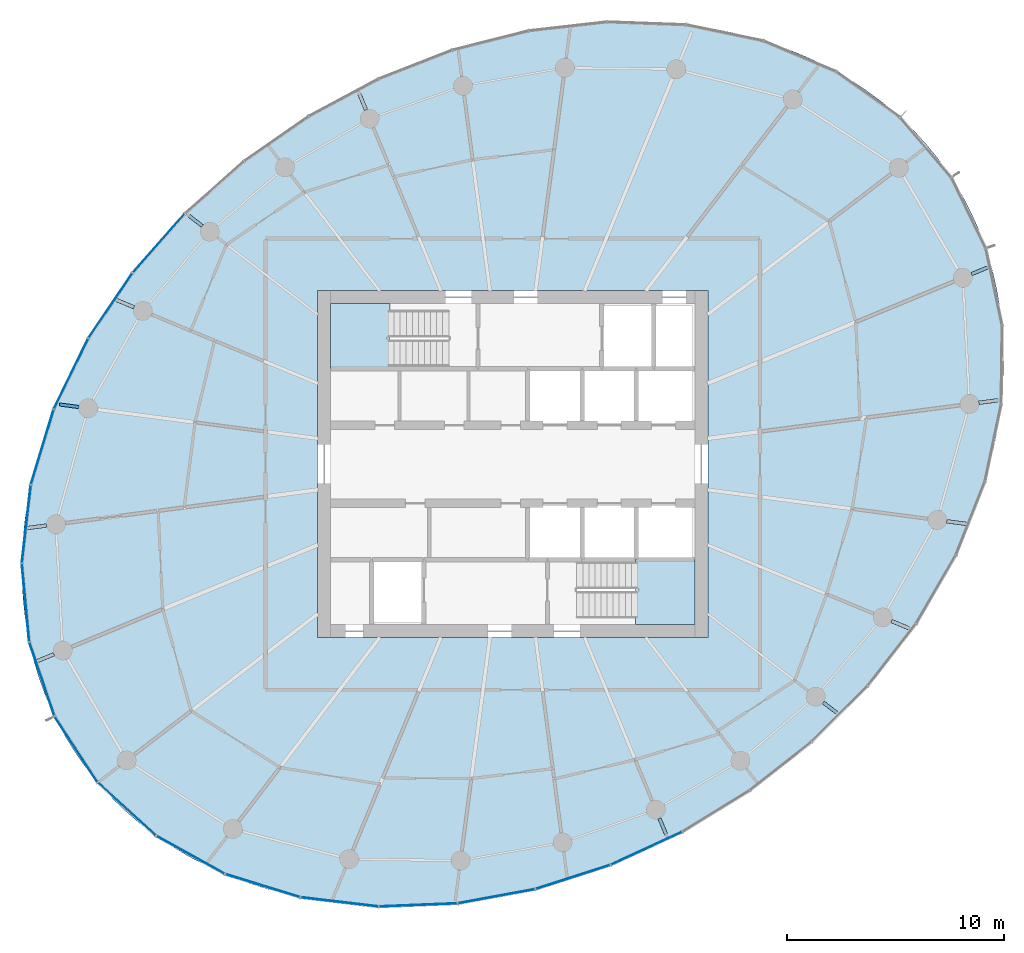
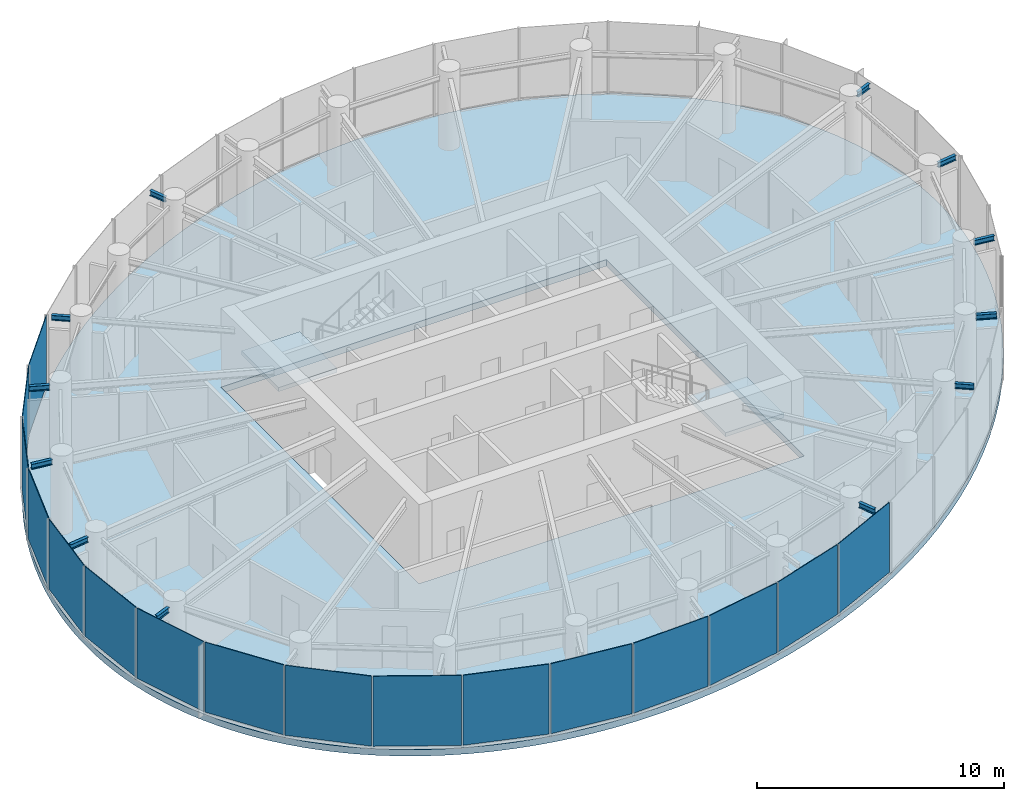
# One storey, part 8 of 15: 16 plates, 12 beams, 3 slabs, 6 elements without a shape of their own.
"""IFC4 building model written with IfcOpenShell, lengths in metres."""

from ifc_helpers import new_model, si_unit, direction, frame, origin, origin_2d, place, context, subcontext, project, spatial, line, indexed_curve, rectangle, i_section, outline, extrude, source, transform, mapped, material, layer, layer_set, material_profile, profile_set, type_object, element, aggregate, save


model = new_model("IFC4")

# Units and contexts
model_context = context("Model", 3, precision=1e-05, world=origin(), true_north=direction((0.0, 1.0)))
body_context = subcontext(model_context, "Body", "Model", "MODEL_VIEW")
ifc_project = project(units=[si_unit("LENGTHUNIT", "METRE"), si_unit("AREAUNIT", "SQUARE_METRE"), si_unit("VOLUMEUNIT", "CUBIC_METRE"), si_unit("PLANEANGLEUNIT", "RADIAN"), si_unit("MASSUNIT", "GRAM", prefix="KILO")], contexts=[model_context])

# Site, building, storey
site_placement = place(None, origin())
site = spatial("IfcSite", under=ifc_project, at=site_placement, CompositionType="ELEMENT")
building_placement = place(site_placement, origin())
building = spatial("IfcBuilding", under=site, at=building_placement, Name="Spindrift Exchange Tower", CompositionType="ELEMENT")
storey_placement = place(building_placement, frame((0.0, 0.0, 191.60009765625)))
storey = spatial("IfcBuildingStorey", under=building, at=storey_placement, Name="L46", CompositionType="ELEMENT", Elevation=191.60009765625)

# Beams
ifc_material_1 = material(Name="Steel Grade 300", Category="steel")
ifc_material_profile = material_profile(ifc_material_1, i_section(OverallWidth=0.14599609375, OverallDepth=0.251953125, WebThickness=0.006103515625, FlangeThickness=0.008544921875, FilletRadius=0.011962890625, at=origin_2d()), Name="250UB31.4")
ifc_profile_set = profile_set([ifc_material_profile], Name="Steel Grade 300")
beam_type = type_object("IfcBeamType", Name="Cantilever Beam 250UB31.4 Steel Grade 300", PredefinedType="BEAM", material=ifc_profile_set)
shared_shape_1 = source(origin(), body_context, "Body", "SweptSolid", [
    extrude(i_section(OverallWidth=0.14599609375, OverallDepth=0.251953125, WebThickness=0.006103515625, FlangeThickness=0.008544921875, FilletRadius=0.011962890625, at=origin_2d()), origin(), (0.0, 0.0, 1.0), 0.78857421875),
])
for number, where, z_axis, x_axis, name in (
    (1, (73.150390625, 56.7607421875, 3.453857421875), (0.923880985108, 0.382679925467, 0.0), (-0.382679925467, 0.923880985108, 0.0), "L46 cantilever beam R02T"),
    (2, (30.849609375, 39.2392578125, 3.453857421875), (-0.923880985108, -0.382679925467, 0.0), (0.382679925467, -0.923880985108, 0.0), "L46 cantilever beam R14T"),
):
    element("IfcBeam", number, at=place(storey_placement, frame(where, z_axis=z_axis, x_axis=x_axis)), inside=storey, type_object=beam_type, Name=name, PredefinedType="BEAM", context=body_context, shape_type="MappedRepresentation", body=[
        mapped(shared_shape_1, transform((0.0, 0.0, 0.0), scale=1.0)),
    ])
shared_shape_2 = source(origin(), body_context, "Body", "SweptSolid", [
    extrude(i_section(OverallWidth=0.14599609375, OverallDepth=0.251953125, WebThickness=0.006103515625, FlangeThickness=0.008544921875, FilletRadius=0.011962890625, at=origin_2d()), origin(), (0.0, 0.0, 1.0), 0.891357421875),
])
for number, where, z_axis, x_axis, name in (
    (3, (73.488525390625, 50.8291015625, 3.453857421875), (0.991465478507, 0.130369493859, 0.0), (-0.130369493859, 0.991465478507, 0.0), "L46 cantilever beam R01T"),
    (4, (30.511474609375, 45.1708984375, 3.453857421875), (-0.991465478507, -0.130369493859, 0.0), (0.130369493859, -0.991465478507, 0.0), "L46 cantilever beam R13T"),
):
    element("IfcBeam", number, at=place(storey_placement, frame(where, z_axis=z_axis, x_axis=x_axis)), inside=storey, type_object=beam_type, Name=name, PredefinedType="BEAM", context=body_context, shape_type="MappedRepresentation", body=[
        mapped(shared_shape_2, transform((0.0, 0.0, 0.0), scale=1.0)),
    ])
shared_shape_3 = source(origin(), body_context, "Body", "SweptSolid", [
    extrude(i_section(OverallWidth=0.14599609375, OverallDepth=0.251953125, WebThickness=0.006103515625, FlangeThickness=0.008544921875, FilletRadius=0.011962890625, at=origin_2d()), origin(), (0.0, 0.0, 1.0), 0.79638671875),
])
for number, where, z_axis, x_axis, name in (
    (5, (45.236328125, 64.32861328125, 3.453857421875), (-0.382568386735, 0.92392717758, 0.0), (-0.92392717758, -0.382568386735, 0.0), "L46 cantilever beam R08T"),
    (6, (58.763671875, 31.67138671875, 3.453857421875), (0.382568386735, -0.92392717758, 0.0), (0.92392717758, 0.382568386735, 0.0), "L46 cantilever beam R20T"),
):
    element("IfcBeam", number, at=place(storey_placement, frame(where, z_axis=z_axis, x_axis=x_axis)), inside=storey, type_object=beam_type, Name=name, PredefinedType="BEAM", context=body_context, shape_type="MappedRepresentation", body=[
        mapped(shared_shape_3, transform((0.0, 0.0, 0.0), scale=1.0)),
    ])
shared_shape_4 = source(origin(), body_context, "Body", "SweptSolid", [
    extrude(i_section(OverallWidth=0.14599609375, OverallDepth=0.251953125, WebThickness=0.006103515625, FlangeThickness=0.008544921875, FilletRadius=0.011962890625, at=origin_2d()), origin(), (0.0, 0.0, 1.0), 0.7744140625),
])
for number, where, z_axis, x_axis, name in (
    (7, (37.68798828125, 58.982177734375, 3.453857421875), (-0.79340845212, 0.608689599143, 0.0), (-0.608689599143, -0.79340845212, 0.0), "L46 cantilever beam R10T"),
    (8, (66.31201171875, 37.017822265625, 3.453857421875), (0.79340845212, -0.608689599143, 0.0), (0.608689599143, 0.79340845212, 0.0), "L46 cantilever beam R22T"),
):
    element("IfcBeam", number, at=place(storey_placement, frame(where, z_axis=z_axis, x_axis=x_axis)), inside=storey, type_object=beam_type, Name=name, PredefinedType="BEAM", context=body_context, shape_type="MappedRepresentation", body=[
        mapped(shared_shape_4, transform((0.0, 0.0, 0.0), scale=1.0)),
    ])
shared_shape_5 = source(origin(), body_context, "Body", "SweptSolid", [
    extrude(i_section(OverallWidth=0.14599609375, OverallDepth=0.251953125, WebThickness=0.006103515625, FlangeThickness=0.008544921875, FilletRadius=0.011962890625, at=origin_2d()), origin(), (0.0, 0.0, 1.0), 0.8486328125),
])
for number, where, z_axis, x_axis, name in (
    (9, (34.543212890625, 55.230712890625, 3.453857421875), (-0.923781830666, 0.382919220373, 0.0), (-0.382919220373, -0.923781830666, 0.0), "L46 cantilever beam R11T"),
    (10, (69.456787109375, 40.769287109375, 3.453857421875), (0.923781830666, -0.382919220373, 0.0), (0.382919220373, 0.923781830666, 0.0), "L46 cantilever beam R23T"),
):
    element("IfcBeam", number, at=place(storey_placement, frame(where, z_axis=z_axis, x_axis=x_axis)), inside=storey, type_object=beam_type, Name=name, PredefinedType="BEAM", context=body_context, shape_type="MappedRepresentation", body=[
        mapped(shared_shape_5, transform((0.0, 0.0, 0.0), scale=1.0)),
    ])
shared_shape_6 = source(origin(), body_context, "Body", "SweptSolid", [
    extrude(i_section(OverallWidth=0.14599609375, OverallDepth=0.251953125, WebThickness=0.006103515625, FlangeThickness=0.008544921875, FilletRadius=0.011962890625, at=origin_2d()), origin(), (0.0, 0.0, 1.0), 0.901611328125),
])
for number, where, z_axis, x_axis, name in (
    (11, (31.99267578125, 50.634033203125, 3.453857421875), (-0.991444153214, 0.130531571114, 0.0), (-0.130531571114, -0.991444153214, 0.0), "L46 cantilever beam R12T"),
    (12, (72.00732421875, 45.365966796875, 3.453857421875), (0.991444153214, -0.130531571114, 0.0), (0.130531571114, 0.991444153214, 0.0), "L46 cantilever beam R24T"),
):
    element("IfcBeam", number, at=place(storey_placement, frame(where, z_axis=z_axis, x_axis=x_axis)), inside=storey, type_object=beam_type, Name=name, PredefinedType="BEAM", context=body_context, shape_type="MappedRepresentation", body=[
        mapped(shared_shape_6, transform((0.0, 0.0, 0.0), scale=1.0)),
    ])

# Slab
ifc_material_2 = material(Name="Concrete 40 MPa", Category="concrete")
ifc_layer_1 = layer(ifc_material_2, 0.320068359375)
ifc_layer_set_1 = layer_set([ifc_layer_1], Name="RC Floor Slab 320 Concrete 40 MPa")
slab_type_1 = type_object("IfcSlabType", Name="RC Floor Slab 320 Concrete 40 MPa", PredefinedType="FLOOR", material=ifc_layer_set_1)
slab_1_placement = place(storey_placement, frame((0.0, 0.0, -0.320068359375)))
element("IfcSlab", 13, at=slab_1_placement, inside=storey, type_object=slab_type_1, Name="Floor slab L46", PredefinedType="FLOOR", context=body_context, shape_type="SweptSolid", body=[
    extrude(outline(indexed_curve([(72.22412109375, 61.218017578125), (71.7978515625, 61.834228515625), (71.572998046875, 62.1337890625), (71.099853515625, 62.714599609375), (70.597412109375, 63.270263671875), (70.33544921875, 63.5380859375), (69.791748046875, 64.053466796875), (69.222900390625, 64.541015625), (68.9296875, 64.77392578125), (68.326171875, 65.218017578125), (67.702392578125, 65.632568359375), (67.0595703125, 66.017578125), (66.731689453125, 66.19873046875), (66.064208984375, 66.538818359375), (65.72509765625, 66.69775390625), (65.03662109375, 66.993408203125), (64.336181640625, 67.259521484375), (63.982177734375, 67.3818359375), (63.26708984375, 67.604736328125), (62.54345703125, 67.79931640625), (62.17919921875, 67.885986328125), (61.44580078125, 68.0390625), (61.076904296875, 68.105224609375), (60.336181640625, 68.218017578125), (59.59228515625, 68.3046875), (59.218994140625, 68.33837890625), (58.845458984375, 68.365966796875), (58.09716796875, 68.402099609375), (57.72265625, 68.4111328125), (56.973388671875, 68.4111328125), (56.224609375, 68.387939453125), (55.8505859375, 68.36767578125), (55.103515625, 68.310302734375), (54.730712890625, 68.273193359375), (54.358642578125, 68.23095703125), (53.6162109375, 68.130126953125), (53.24609375, 68.072021484375), (52.5087890625, 67.93994140625), (52.141357421875, 67.8662109375), (51.409912109375, 67.7041015625), (50.321533203125, 67.42431640625), (49.244873046875, 67.102294921875), (48.181396484375, 66.739013671875), (47.132568359375, 66.335693359375), (46.099365234375, 65.893798828125), (45.0830078125, 65.414306640625), (44.415283203125, 65.07421875), (43.756103515625, 64.71826171875), (42.78369140625, 64.15478515625), (41.832275390625, 63.556884765625), (41.2099609375, 63.1396484375), (40.597900390625, 62.70751953125), (39.69970703125, 62.0322265625), (38.826416015625, 61.3251953125), (37.979248046875, 60.586669921875), (37.159912109375, 59.817626953125), (36.369384765625, 59.018798828125), (35.60986328125, 58.190673828125), (34.882568359375, 57.333740234375), (34.189697265625, 56.44921875), (33.74755859375, 55.844482421875), (33.53271484375, 55.53759765625), (33.11572265625, 54.9150390625), (32.913818359375, 54.599609375), (32.5234375, 53.9599609375), (32.335205078125, 53.635986328125), (32.15185546875, 53.3095703125), (31.799560546875, 52.648193359375), (31.46728515625, 51.976806640625), (31.308837890625, 51.63720703125), (31.00830078125, 50.951171875), (30.8662109375, 50.6044921875), (30.59912109375, 49.904541015625), (30.47412109375, 49.55126953125), (30.355224609375, 49.196044921875), (30.135986328125, 48.479736328125), (29.94189453125, 47.756103515625), (29.854736328125, 47.3916015625), (29.700439453125, 46.65869140625), (29.6337890625, 46.2900390625), (29.521484375, 45.54931640625), (29.476318359375, 45.177490234375), (29.408447265625, 44.431396484375), (29.37109375, 43.68310546875), (29.365478515625, 42.933837890625), (29.375, 42.559326171875), (29.418701171875, 41.8115234375), (29.49609375, 41.06640625), (29.547607421875, 40.6953125), (29.677001953125, 39.95751953125), (29.841552734375, 39.2265625), (29.93701171875, 38.864501953125), (30.1552734375, 38.147705078125), (30.408935546875, 37.44287109375), (30.54931640625, 37.095458984375), (30.8564453125, 36.412353515625), (31.19873046875, 35.745849609375), (31.3828125, 35.41943359375), (31.77587890625, 34.781982421875), (32.2021484375, 34.165771484375), (32.427001953125, 33.8662109375), (32.900146484375, 33.285400390625), (33.402587890625, 32.729736328125), (33.66455078125, 32.4619140625), (34.208251953125, 31.946533203125), (34.777099609375, 31.458984375), (35.0703125, 31.22607421875), (35.673828125, 30.781982421875), (36.297607421875, 30.367431640625), (36.9404296875, 29.982421875), (37.268310546875, 29.80126953125), (37.935791015625, 29.461181640625), (38.27490234375, 29.30224609375), (38.96337890625, 29.006591796875), (39.663818359375, 28.740478515625), (40.017822265625, 28.6181640625), (40.73291015625, 28.395263671875), (41.45654296875, 28.20068359375), (41.82080078125, 28.114013671875), (42.55419921875, 27.9609375), (42.923095703125, 27.894775390625), (43.663818359375, 27.781982421875), (44.035400390625, 27.7353515625), (44.781005859375, 27.66162109375), (45.154541015625, 27.634033203125), (45.90283203125, 27.597900390625), (46.27734375, 27.5888671875), (47.026611328125, 27.5888671875), (47.775390625, 27.612060546875), (48.1494140625, 27.63232421875), (48.896484375, 27.689697265625), (49.269287109375, 27.726806640625), (49.641357421875, 27.76904296875), (50.3837890625, 27.869873046875), (50.75390625, 27.927978515625), (51.4912109375, 28.06005859375), (51.858642578125, 28.1337890625), (52.590087890625, 28.2958984375), (53.678466796875, 28.57568359375), (54.755126953125, 28.897705078125), (55.818603515625, 29.260986328125), (56.867431640625, 29.664306640625), (57.900634765625, 30.106201171875), (58.9169921875, 30.585693359375), (59.584716796875, 30.92578125), (60.243896484375, 31.28173828125), (61.21630859375, 31.84521484375), (62.167724609375, 32.443115234375), (62.7900390625, 32.8603515625), (63.402099609375, 33.29248046875), (64.30029296875, 33.9677734375), (65.173583984375, 34.6748046875), (66.020751953125, 35.413330078125), (66.840087890625, 36.182373046875), (67.630615234375, 36.981201171875), (68.39013671875, 37.809326171875), (69.117431640625, 38.666259765625), (69.810302734375, 39.55078125), (70.033447265625, 39.851806640625), (70.46728515625, 40.46240234375), (70.88427734375, 41.0849609375), (71.086181640625, 41.400390625), (71.4765625, 42.0400390625), (71.664794921875, 42.364013671875), (71.84814453125, 42.6904296875), (72.200439453125, 43.351806640625), (72.53271484375, 44.023193359375), (72.691162109375, 44.36279296875), (72.99169921875, 45.048828125), (73.1337890625, 45.3955078125), (73.40087890625, 46.095458984375), (73.52587890625, 46.44873046875), (73.644775390625, 46.803955078125), (73.864013671875, 47.520263671875), (74.05810546875, 48.243896484375), (74.145263671875, 48.6083984375), (74.299560546875, 49.34130859375), (74.3662109375, 49.7099609375), (74.478515625, 50.45068359375), (74.523681640625, 50.822509765625), (74.591552734375, 51.568603515625), (74.62890625, 52.31689453125), (74.634521484375, 53.066162109375), (74.625, 53.440673828125), (74.581298828125, 54.1884765625), (74.50390625, 54.93359375), (74.452392578125, 55.3046875), (74.322998046875, 56.04248046875), (74.158447265625, 56.7734375), (74.06298828125, 57.135498046875), (73.8447265625, 57.852294921875), (73.591064453125, 58.55712890625), (73.45068359375, 58.904541015625), (73.1435546875, 59.587646484375), (72.80126953125, 60.254150390625), (72.6171875, 60.58056640625)], segments=[line(1, 2, 3, 4, 5, 6, 7, 8, 9, 10, 11, 12, 13, 14, 15, 16, 17, 18, 19, 20, 21, 22, 23, 24, 25, 26, 27, 28, 29, 30, 31, 32, 33, 34, 35, 36, 37, 38, 39, 40, 41, 42, 43, 44, 45, 46, 47, 48, 49, 50, 51, 52, 53, 54, 55, 56, 57, 58, 59, 60, 61, 62, 63, 64, 65, 66, 67, 68, 69, 70, 71, 72, 73, 74, 75, 76, 77, 78, 79, 80, 81, 82, 83, 84, 85, 86, 87, 88, 89, 90, 91, 92, 93, 94, 95, 96, 97, 98, 99, 100, 101, 102, 103, 104, 105, 106, 107, 108, 109, 110, 111, 112, 113, 114, 115, 116, 117, 118, 119, 120, 121, 122, 123, 124, 125, 126, 127, 128, 129, 130, 131, 132, 133, 134, 135, 136, 137, 138, 139, 140, 141, 142, 143, 144, 145, 146, 147, 148, 149, 150, 151, 152, 153, 154, 155, 156, 157, 158, 159, 160, 161, 162, 163, 164, 165, 166, 167, 168, 169, 170, 171, 172, 173, 174, 175, 176, 177, 178, 179, 180, 181, 182, 183, 184, 185, 186, 187, 188, 189, 190, 191, 192, 193, 194, 195, 196, 1)], self_intersect=False), holes=[indexed_curve([(43.0, 40.0), (61.0, 40.0), (61.0, 56.0), (43.0, 56.0)], segments=[line(1, 2, 3, 4, 1)], self_intersect=False)]), origin(), (0.0, 0.0, 1.0), 0.320068359375),
])

# Stair, slab
ifc_material_3 = material(Name="Concrete 50 MPa", Category="concrete")
stair_type = type_object("IfcStairType", Name="ST-1250-R177", PredefinedType="HALF_TURN_STAIR", material=ifc_material_3)
stair_1_placement = place(storey_placement, origin())
stair_1 = element("IfcStair", 14, at=stair_1_placement, inside=storey, type_object=stair_type, Name="L46 Exit stair ST1", PredefinedType="HALF_TURN_STAIR")
ifc_layer_2 = layer(ifc_material_3, 0.199951171875)
ifc_layer_set_2 = layer_set([ifc_layer_2], Name="SL-LANDING")
slab_type_2 = type_object("IfcSlabType", Name="SL-LANDING", PredefinedType="LANDING", material=ifc_layer_set_2)
slab_2_placement = place(storey_placement, frame((0.0, 0.0, 1.75)))
slab_2 = element("IfcSlab", 15, at=slab_2_placement, type_object=slab_type_2, Name="ST1 landing 1", PredefinedType="LANDING", context=body_context, shape_type="SweptSolid", body=[
    extrude(outline(indexed_curve([(46.330078125, 52.39990234375), (43.60009765625, 52.39990234375), (43.60009765625, 55.39990234375), (46.330078125, 55.39990234375)], segments=[line(1, 2, 3, 4, 1)], self_intersect=False)), origin(), (0.0, 0.0, 1.0), 0.199951171875),
])
aggregate(stair_1, [slab_2])

stair_2_placement = place(storey_placement, origin())
stair_2 = element("IfcStair", 16, at=stair_2_placement, inside=storey, type_object=stair_type, Name="L46 Exit stair ST2", PredefinedType="HALF_TURN_STAIR")
slab_3_placement = place(storey_placement, frame((0.0, 0.0, 1.75)))
slab_3 = element("IfcSlab", 17, at=slab_3_placement, type_object=slab_type_2, Name="ST2 landing 1", PredefinedType="LANDING", context=body_context, shape_type="SweptSolid", body=[
    extrude(outline(indexed_curve([(57.669921875, 43.60009765625), (60.39990234375, 43.60009765625), (60.39990234375, 40.60009765625), (57.669921875, 40.60009765625)], segments=[line(1, 2, 3, 4, 1)], self_intersect=False)), origin(), (0.0, 0.0, 1.0), 0.199951171875),
])
aggregate(stair_2, [slab_3])

# Curtain wall, plate
ifc_material_4 = material(Name="Fritted laminated glass with bronze frame", Category="glass")
ifc_layer_3 = layer(ifc_material_4, 0.169921875)
ifc_layer_set_3 = layer_set([ifc_layer_3], Name="ZONE 4 BRONZE FRITTED WALL")
curtain_wall_type = type_object("IfcCurtainWallType", Name="ZONE 4 BRONZE FRITTED WALL", PredefinedType="NOTDEFINED", material=ifc_layer_set_3)
curtain_wall_1_placement = place(storey_placement, origin())
curtain_wall_1 = element("IfcCurtainWall", 18, at=curtain_wall_1_placement, inside=storey, type_object=curtain_wall_type, Name="L46 Zone 4 Bronze Fritted Wall run 5", PredefinedType="NOTDEFINED")
ifc_material_5 = material(Name="Bronze fritted laminated glass, open frit", Category="glass")
ifc_layer_4 = layer(ifc_material_5, 0.030029296875)
ifc_layer_set_4 = layer_set([ifc_layer_4], Name="ZONE 4 BRONZE FRITTED WALL PANEL OPEN FRIT 600")
plate_type_1 = type_object("IfcPlateType", Name="ZONE 4 BRONZE FRITTED WALL PANEL OPEN FRIT 600", PredefinedType="CURTAIN_PANEL", material=ifc_layer_set_4)
shared_shape_7 = source(origin(), body_context, "Body", "SweptSolid", [
    extrude(rectangle(XDim=3.577392578125, YDim=0.030029296875, at=origin_2d()), origin(), (0.0, 0.0, 1.0), 3.455078125),
])
plate_1_placement = place(storey_placement, frame((54.7763671875, 28.964111328125, 0.124755859375), z_axis=(0.0, 0.0, 1.0), x_axis=(0.951971338159, 0.306187150814, 0.0)))
plate_1 = element("IfcPlate", 19, at=plate_1_placement, type_object=plate_type_1, Name="L46 panel CW-4.26", PredefinedType="CURTAIN_PANEL", context=body_context, shape_type="MappedRepresentation", body=[
    mapped(shared_shape_7, transform((0.0, 0.0, 0.0), scale=1.0)),
])

curtain_wall_2_placement = place(storey_placement, origin())
curtain_wall_2 = element("IfcCurtainWall", 20, at=curtain_wall_2_placement, inside=storey, type_object=curtain_wall_type, Name="L46 Zone 4 Bronze Fritted Wall run 3", PredefinedType="NOTDEFINED")
ifc_layer_5 = layer(ifc_material_5, 0.030029296875)
ifc_layer_set_5 = layer_set([ifc_layer_5], Name="ZONE 4 BRONZE FRITTED WALL PANEL OPEN FRIT 360")
plate_type_2 = type_object("IfcPlateType", Name="ZONE 4 BRONZE FRITTED WALL PANEL OPEN FRIT 360", PredefinedType="CURTAIN_PANEL", material=ifc_layer_set_5)
shared_shape_8 = source(origin(), body_context, "Body", "SweptSolid", [
    extrude(rectangle(XDim=3.5771484375, YDim=0.030029296875, at=origin_2d()), origin(), (0.0, 0.0, 1.0), 3.455078125),
])
plate_2_placement = place(storey_placement, frame((33.451904296875, 55.31103515625, 0.124755859375), z_axis=(0.0, 0.0, 1.0), x_axis=(-0.560409180149, -0.828215884178, 0.0)))
plate_2 = element("IfcPlate", 21, at=plate_2_placement, type_object=plate_type_2, Name="L46 panel CW-4.13", PredefinedType="CURTAIN_PANEL", context=body_context, shape_type="MappedRepresentation", body=[
    mapped(shared_shape_8, transform((0.0, 0.0, 0.0), scale=1.0)),
])

# Plate
plate_3_placement = place(storey_placement, frame((51.25146484375, 28.0771484375, 0.124755859375), z_axis=(0.0, 0.0, 1.0), x_axis=(0.983504925332, 0.18088134743, 0.0)))
plate_3 = element("IfcPlate", 22, at=plate_3_placement, type_object=plate_type_2, Name="L46 panel CW-4.25", PredefinedType="CURTAIN_PANEL", context=body_context, shape_type="MappedRepresentation", body=[
    mapped(shared_shape_8, transform((0.0, 0.0, 0.0), scale=1.0)),
])

ifc_layer_6 = layer(ifc_material_5, 0.030029296875)
ifc_layer_set_6 = layer_set([ifc_layer_6], Name="ZONE 4 BRONZE FRITTED WALL PANEL OPEN FRIT 480")
plate_type_3 = type_object("IfcPlateType", Name="ZONE 4 BRONZE FRITTED WALL PANEL OPEN FRIT 480", PredefinedType="CURTAIN_PANEL", material=ifc_layer_set_6)
shared_shape_9 = source(origin(), body_context, "Body", "SweptSolid", [
    extrude(rectangle(XDim=3.57568359375, YDim=0.030029296875, at=origin_2d()), origin(), (0.0, 0.0, 1.0), 3.455078125),
])
plate_4_placement = place(storey_placement, frame((30.307373046875, 48.787353515625, 0.124755859375), z_axis=(0.0, 0.0, 1.0), x_axis=(-0.290558574217, -0.956857207189, 0.0)))
plate_4 = element("IfcPlate", 23, at=plate_4_placement, type_object=plate_type_3, Name="L46 panel CW-4.15", PredefinedType="CURTAIN_PANEL", context=body_context, shape_type="MappedRepresentation", body=[
    mapped(shared_shape_9, transform((0.0, 0.0, 0.0), scale=1.0)),
])

shared_shape_10 = source(origin(), body_context, "Body", "SweptSolid", [
    extrude(rectangle(XDim=3.57080078125, YDim=0.030029296875, at=origin_2d()), origin(), (0.0, 0.0, 1.0), 3.455078125),
])
plate_5_placement = place(storey_placement, frame((30.29296875, 38.087646484375, 0.124755859375), z_axis=(0.0, 0.0, 1.0), x_axis=(0.322105425792, -0.946703805145, 0.0)))
plate_5 = element("IfcPlate", 24, at=plate_5_placement, type_object=plate_type_3, Name="L46 panel CW-4.18", PredefinedType="CURTAIN_PANEL", context=body_context, shape_type="MappedRepresentation", body=[
    mapped(shared_shape_10, transform((0.0, 0.0, 0.0), scale=1.0)),
])

# Curtain wall, plate
curtain_wall_3_placement = place(storey_placement, origin())
curtain_wall_3 = element("IfcCurtainWall", 25, at=curtain_wall_3_placement, inside=storey, type_object=curtain_wall_type, Name="L46 Zone 4 Bronze Fritted Wall run 4", PredefinedType="NOTDEFINED")
shared_shape_11 = source(origin(), body_context, "Body", "SweptSolid", [
    extrude(rectangle(XDim=3.572509765625, YDim=0.030029296875, at=origin_2d()), origin(), (0.0, 0.0, 1.0), 3.455078125),
])
plate_6_placement = place(storey_placement, frame((37.1396484375, 29.986572265625, 0.124755859375), z_axis=(0.0, 0.0, 1.0), x_axis=(0.874150529927, -0.485655074131, 0.0)))
plate_6 = element("IfcPlate", 26, at=plate_6_placement, type_object=plate_type_3, Name="L46 panel CW-4.21", PredefinedType="CURTAIN_PANEL", context=body_context, shape_type="MappedRepresentation", body=[
    mapped(shared_shape_11, transform((0.0, 0.0, 0.0), scale=1.0)),
])

# Plate
shared_shape_12 = source(origin(), body_context, "Body", "SweptSolid", [
    extrude(rectangle(XDim=3.57763671875, YDim=0.030029296875, at=origin_2d()), origin(), (0.0, 0.0, 1.0), 3.455078125),
])
plate_7_placement = place(storey_placement, frame((58.163818359375, 30.285400390625, 0.124755859375), z_axis=(0.0, 0.0, 1.0), x_axis=(0.907881406295, 0.419227088943, 0.0)))
plate_7 = element("IfcPlate", 27, at=plate_7_placement, type_object=plate_type_3, Name="L46 panel CW-4.27", PredefinedType="CURTAIN_PANEL", context=body_context, shape_type="MappedRepresentation", body=[
    mapped(shared_shape_12, transform((0.0, 0.0, 0.0), scale=1.0)),
])

aggregate(curtain_wall_1, [plate_3, plate_1, plate_7])

# Curtain wall, plate
curtain_wall_4_placement = place(storey_placement, origin())
curtain_wall_4 = element("IfcCurtainWall", 28, at=curtain_wall_4_placement, inside=storey, type_object=curtain_wall_type, Name="L46 Zone 4 Bronze Fritted Wall run 2", PredefinedType="NOTDEFINED")
shared_shape_13 = source(origin(), body_context, "Body", "SweptSolid", [
    extrude(rectangle(XDim=3.577392578125, YDim=0.030029296875, at=origin_2d()), origin(), (0.0, 0.0, 1.0), 3.455078125),
])
plate_8_placement = place(storey_placement, frame((35.67919921875, 58.183349609375, 0.124755859375), z_axis=(0.0, 0.0, 1.0), x_axis=(-0.66254422871, -0.74902279338, 0.0)))
plate_8 = element("IfcPlate", 29, at=plate_8_placement, type_object=plate_type_2, Name="L46 panel CW-4.12", PredefinedType="CURTAIN_PANEL", context=body_context, shape_type="MappedRepresentation", body=[
    mapped(shared_shape_13, transform((0.0, 0.0, 0.0), scale=1.0)),
])
aggregate(curtain_wall_4, [plate_8])

# Plate
shared_shape_14 = source(origin(), body_context, "Body", "SweptSolid", [
    extrude(rectangle(XDim=3.576416015625, YDim=0.030029296875, at=origin_2d()), origin(), (0.0, 0.0, 1.0), 3.455078125),
])
plate_9_placement = place(storey_placement, frame((31.6337890625, 52.166015625, 0.124755859375), z_axis=(0.0, 0.0, 1.0), x_axis=(-0.43806208865, -0.89894471826, 0.0)))
plate_9 = element("IfcPlate", 30, at=plate_9_placement, type_object=plate_type_1, Name="L46 panel CW-4.14", PredefinedType="CURTAIN_PANEL", context=body_context, shape_type="MappedRepresentation", body=[
    mapped(shared_shape_14, transform((0.0, 0.0, 0.0), scale=1.0)),
])

plate_10_placement = place(storey_placement, frame((47.64111328125, 27.67431640625, 0.124755859375), z_axis=(0.0, 0.0, 1.0), x_axis=(0.999182655458, 0.040423025999, 0.0)))
plate_10 = element("IfcPlate", 31, at=plate_10_placement, type_object=plate_type_1, Name="L46 panel CW-4.24", PredefinedType="CURTAIN_PANEL", context=body_context, shape_type="MappedRepresentation", body=[
    mapped(shared_shape_14, transform((0.0, 0.0, 0.0), scale=1.0)),
])

shared_shape_15 = source(origin(), body_context, "Body", "SweptSolid", [
    extrude(rectangle(XDim=3.57421875, YDim=0.030029296875, at=origin_2d()), origin(), (0.0, 0.0, 1.0), 3.455078125),
])
plate_11_placement = place(storey_placement, frame((29.572021484375, 45.23779296875, 0.124755859375), z_axis=(0.0, 0.0, 1.0), x_axis=(-0.113404368209, -0.993548916396, 0.0)))
plate_11 = element("IfcPlate", 32, at=plate_11_placement, type_object=plate_type_2, Name="L46 panel CW-4.16", PredefinedType="CURTAIN_PANEL", context=body_context, shape_type="MappedRepresentation", body=[
    mapped(shared_shape_15, transform((0.0, 0.0, 0.0), scale=1.0)),
])

shared_shape_16 = source(origin(), body_context, "Body", "SweptSolid", [
    extrude(rectangle(XDim=3.572509765625, YDim=0.030029296875, at=origin_2d()), origin(), (0.0, 0.0, 1.0), 3.455078125),
])
plate_12_placement = place(storey_placement, frame((29.53662109375, 41.619384765625, 0.124755859375), z_axis=(0.0, 0.0, 1.0), x_axis=(0.09394150399, -0.995577718628, 0.0)))
plate_12 = element("IfcPlate", 33, at=plate_12_placement, type_object=plate_type_2, Name="L46 panel CW-4.17", PredefinedType="CURTAIN_PANEL", context=body_context, shape_type="MappedRepresentation", body=[
    mapped(shared_shape_16, transform((0.0, 0.0, 0.0), scale=1.0)),
])

aggregate(curtain_wall_2, [plate_2, plate_9, plate_4, plate_11, plate_12, plate_5])

shared_shape_17 = source(origin(), body_context, "Body", "SweptSolid", [
    extrude(rectangle(XDim=3.570068359375, YDim=0.030029296875, at=origin_2d()), origin(), (0.0, 0.0, 1.0), 3.455078125),
])
plate_13_placement = place(storey_placement, frame((31.872802734375, 34.84521484375, 0.124755859375), z_axis=(0.0, 0.0, 1.0), x_axis=(0.547110410306, -0.837060451183, 0.0)))
plate_13 = element("IfcPlate", 34, at=plate_13_placement, type_object=plate_type_2, Name="L46 panel CW-4.19", PredefinedType="CURTAIN_PANEL", context=body_context, shape_type="MappedRepresentation", body=[
    mapped(shared_shape_17, transform((0.0, 0.0, 0.0), scale=1.0)),
])

shared_shape_18 = source(origin(), body_context, "Body", "SweptSolid", [
    extrude(rectangle(XDim=3.57080078125, YDim=0.030029296875, at=origin_2d()), origin(), (0.0, 0.0, 1.0), 3.455078125),
])
plate_14_placement = place(storey_placement, frame((34.20849609375, 32.0966796875, 0.124755859375), z_axis=(0.0, 0.0, 1.0), x_axis=(0.737805360432, -0.675013518471, 0.0)))
plate_14 = element("IfcPlate", 35, at=plate_14_placement, type_object=plate_type_2, Name="L46 panel CW-4.20", PredefinedType="CURTAIN_PANEL", context=body_context, shape_type="MappedRepresentation", body=[
    mapped(shared_shape_18, transform((0.0, 0.0, 0.0), scale=1.0)),
])

shared_shape_19 = source(origin(), body_context, "Body", "SweptSolid", [
    extrude(rectangle(XDim=3.57421875, YDim=0.030029296875, at=origin_2d()), origin(), (0.0, 0.0, 1.0), 3.455078125),
])
plate_15_placement = place(storey_placement, frame((40.468017578125, 28.566650390625, 0.124755859375), z_axis=(0.0, 0.0, 1.0), x_axis=(0.95552936157, -0.294895980267, 0.0)))
plate_15 = element("IfcPlate", 36, at=plate_15_placement, type_object=plate_type_3, Name="L46 panel CW-4.22", PredefinedType="CURTAIN_PANEL", context=body_context, shape_type="MappedRepresentation", body=[
    mapped(shared_shape_19, transform((0.0, 0.0, 0.0), scale=1.0)),
])

shared_shape_20 = source(origin(), body_context, "Body", "SweptSolid", [
    extrude(rectangle(XDim=3.575439453125, YDim=0.030029296875, at=origin_2d()), origin(), (0.0, 0.0, 1.0), 3.455078125),
])
plate_16_placement = place(storey_placement, frame((44.014404296875, 27.815185546875, 0.124755859375), z_axis=(0.0, 0.0, 1.0), x_axis=(0.993019547614, -0.117949896385, 0.0)))
plate_16 = element("IfcPlate", 37, at=plate_16_placement, type_object=plate_type_3, Name="L46 panel CW-4.23", PredefinedType="CURTAIN_PANEL", context=body_context, shape_type="MappedRepresentation", body=[
    mapped(shared_shape_20, transform((0.0, 0.0, 0.0), scale=1.0)),
])

aggregate(curtain_wall_3, [plate_13, plate_14, plate_6, plate_15, plate_16, plate_10])

save(model, "model.ifc")
